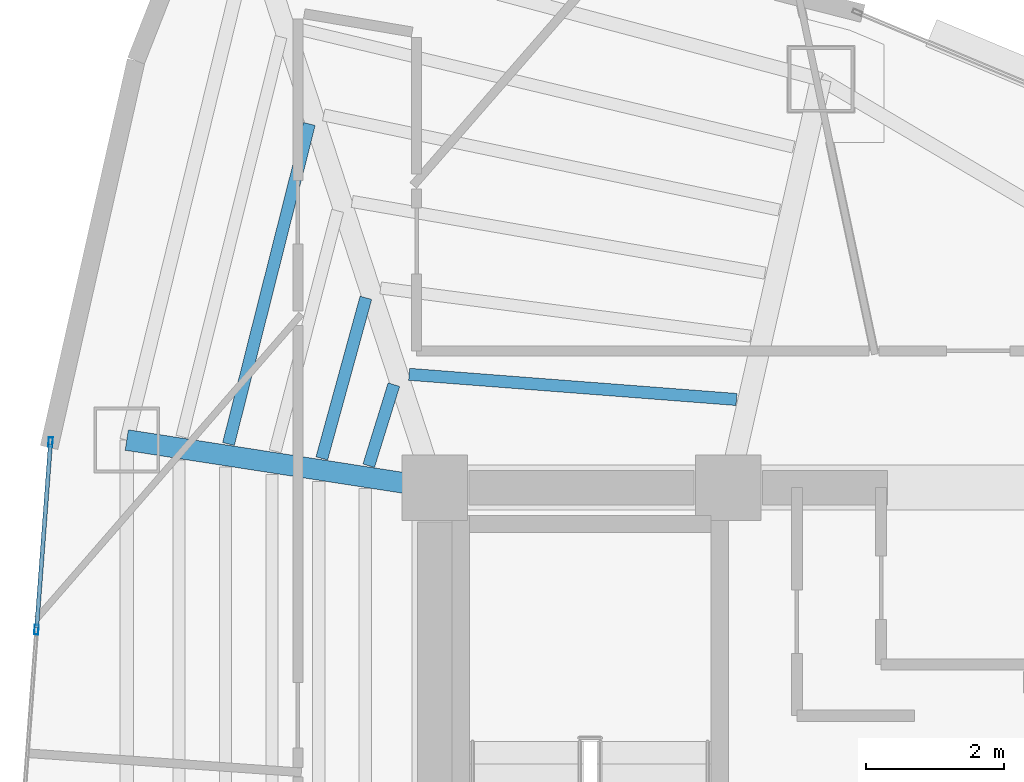
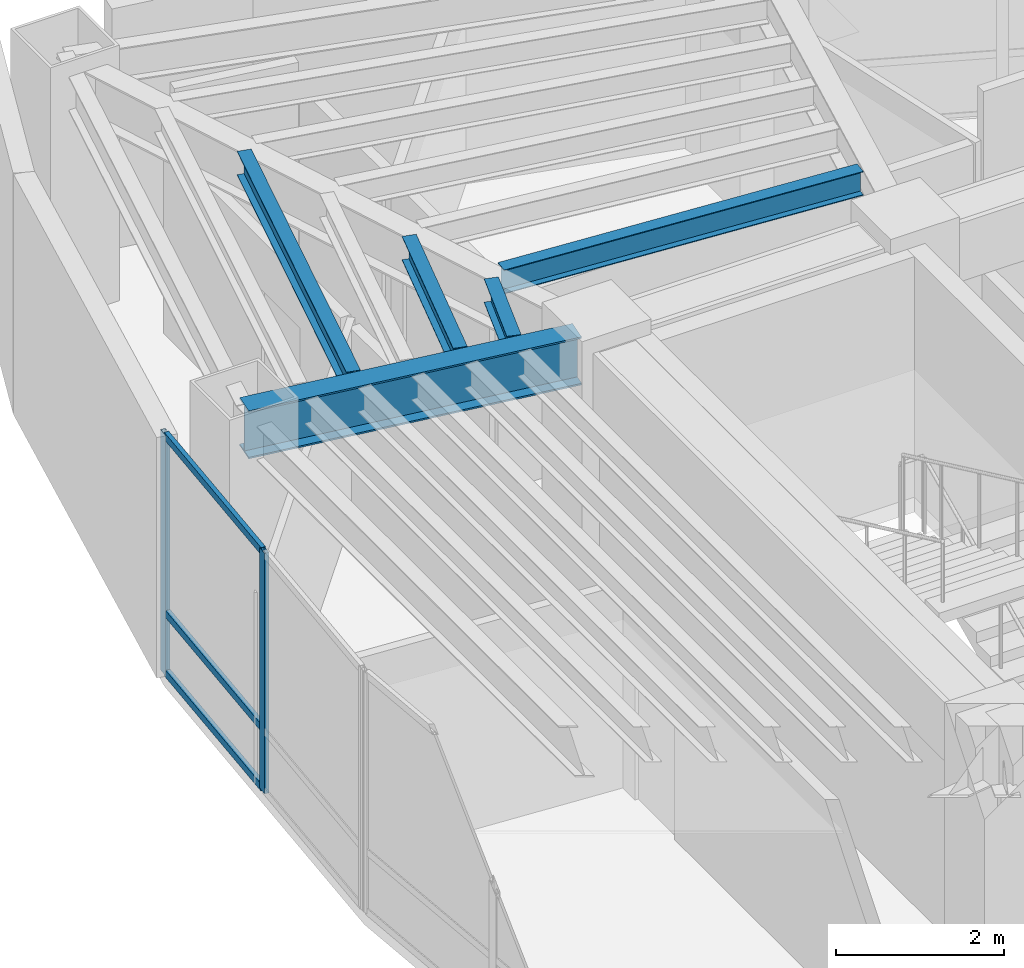
# One storey, part 7 of 15: 5 beams, 5 members, 1 element without a shape of its own.
"""IFC4 building model written with IfcOpenShell, lengths in metres."""

from ifc_helpers import new_model, si_unit, direction, frame, origin, origin_2d, place, context, subcontext, project, spatial, hollow_rectangle, i_section, extrude, material, layer, layer_set, material_profile, profile_set, type_object, element, aggregate, save


model = new_model("IFC4")

# Units and contexts
model_context = context("Model", 3, precision=1e-05, world=origin(), true_north=direction((0.0, 1.0)))
body_context = subcontext(model_context, "Body", "Model", "MODEL_VIEW")
ifc_project = project(units=[si_unit("LENGTHUNIT", "METRE"), si_unit("AREAUNIT", "SQUARE_METRE"), si_unit("VOLUMEUNIT", "CUBIC_METRE"), si_unit("PLANEANGLEUNIT", "RADIAN"), si_unit("MASSUNIT", "GRAM", prefix="KILO")], contexts=[model_context])

# Site, building, storey
site_placement = place(None, origin())
site = spatial("IfcSite", under=ifc_project, at=site_placement, CompositionType="ELEMENT")
building_placement = place(site_placement, origin())
building = spatial("IfcBuilding", under=site, at=building_placement, Name="Menara Vayukalpa", CompositionType="ELEMENT")
storey_placement = place(building_placement, frame((0.0, 0.0, 223.260009765625)))
storey = spatial("IfcBuildingStorey", under=building, at=storey_placement, Name="L56", CompositionType="ELEMENT", Elevation=223.260009765625)

# Beams
ifc_material_1 = material(Name="Steel S355", Category="steel")
ifc_material_profile_1 = material_profile(ifc_material_1, i_section(OverallWidth=0.300048828125, OverallDepth=0.699951171875, WebThickness=0.012939453125, FlangeThickness=0.02392578125, at=origin_2d()), Name="WF 700x300x13x24")
ifc_profile_set_1 = profile_set([ifc_material_profile_1], Name="Steel S355")
beam_type_1 = type_object("IfcBeamType", Name="BM-PG5", PredefinedType="BEAM", material=ifc_profile_set_1)
beam_1_placement = place(storey_placement, frame((17.552978515625, 26.838134765625, 3.14990234375), z_axis=(-0.988244781219, 0.152879862617, 0.0), x_axis=(-0.152879862617, -0.988244781219, 0.0)))
element("IfcBeam", 1, at=beam_1_placement, inside=storey, type_object=beam_type_1, Name="L56 Primary Radial Girder RG05", PredefinedType="BEAM", context=body_context, shape_type="SweptSolid", body=[
    extrude(i_section(OverallWidth=0.300048828125, OverallDepth=0.699951171875, WebThickness=0.012939453125, FlangeThickness=0.02392578125, at=origin_2d()), origin(), (0.0, 0.0, 1.0), 4.259033203125),
])
ifc_material_2 = material(Name="Steel S355", Category="steel")
ifc_material_profile_2 = material_profile(ifc_material_2, i_section(OverallWidth=0.175048828125, OverallDepth=0.35009765625, WebThickness=0.007080078125, FlangeThickness=0.010986328125, at=origin_2d()), Name="WF 350x175x7x11")
ifc_profile_set_2 = profile_set([ifc_material_profile_2], Name="Steel S355")
beam_type_2 = type_object("IfcBeamType", Name="BM-SJ3", PredefinedType="JOIST", material=ifc_profile_set_2)
beam_2_placement = place(storey_placement, frame((22.1669921875, 28.076416015625, 3.324951171875), z_axis=(-0.997060829559, 0.076613981492, 0.0), x_axis=(-0.076613981492, -0.997060829559, 0.0)))
element("IfcBeam", 2, at=beam_2_placement, inside=storey, type_object=beam_type_2, Name="L56 Secondary Floor Joist SJ03-1", PredefinedType="JOIST", context=body_context, shape_type="SweptSolid", body=[
    extrude(i_section(OverallWidth=0.175048828125, OverallDepth=0.35009765625, WebThickness=0.007080078125, FlangeThickness=0.010986328125, at=origin_2d()), origin(), (0.0, 0.0, 1.0), 4.751220703125),
])
beam_3_placement = place(storey_placement, frame((17.209716796875, 28.291015625, 3.324951171875), z_axis=(-0.296305452853, -0.955093230323, 0.0), x_axis=(0.955093230323, -0.296305452853, 0.0)))
element("IfcBeam", 3, at=beam_3_placement, inside=storey, type_object=beam_type_2, Name="L56 Secondary Floor Joist SJ04-1", PredefinedType="JOIST", context=body_context, shape_type="SweptSolid", body=[
    extrude(i_section(OverallWidth=0.175048828125, OverallDepth=0.35009765625, WebThickness=0.007080078125, FlangeThickness=0.010986328125, at=origin_2d()), origin(), (0.0, 0.0, 1.0), 1.228515625),
])
beam_4_placement = place(storey_placement, frame((16.804443359375, 29.5478515625, 3.324951171875), z_axis=(-0.264565534661, -0.964367708848, 0.0), x_axis=(0.964367708848, -0.264565534661, 0.0)))
element("IfcBeam", 4, at=beam_4_placement, inside=storey, type_object=beam_type_2, Name="L56 Secondary Floor Joist SJ04-2", PredefinedType="JOIST", context=body_context, shape_type="SweptSolid", body=[
    extrude(i_section(OverallWidth=0.175048828125, OverallDepth=0.35009765625, WebThickness=0.007080078125, FlangeThickness=0.010986328125, at=origin_2d()), origin(), (0.0, 0.0, 1.0), 2.410400390625),
])
beam_5_placement = place(storey_placement, frame((15.986083984375, 32.063720703125, 3.324951171875), z_axis=(-0.24483203065, -0.969565509271, 0.0), x_axis=(0.969565509271, -0.24483203065, 0.0)))
element("IfcBeam", 5, at=beam_5_placement, inside=storey, type_object=beam_type_2, Name="L56 Secondary Floor Joist SJ04-4", PredefinedType="JOIST", context=body_context, shape_type="SweptSolid", body=[
    extrude(i_section(OverallWidth=0.175048828125, OverallDepth=0.35009765625, WebThickness=0.007080078125, FlangeThickness=0.010986328125, at=origin_2d()), origin(), (0.0, 0.0, 1.0), 4.7763671875),
])

# Curtain wall, members
ifc_material_3 = material(Name="Anodised Terracotta Aluminium Alloy 6063-T6", Category="masonry")
ifc_layer = layer(ifc_material_3, 0.139892578125)
ifc_layer_set = layer_set([ifc_layer], Name="Anodised Terracotta Aluminium Alloy 6063-T6")
curtain_wall_type = type_object("IfcCurtainWallType", Name="CW-CW5", PredefinedType="USERDEFINED", material=ifc_layer_set)
curtain_wall_placement = place(storey_placement, origin())
curtain_wall = element("IfcCurtainWall", 6, at=curtain_wall_placement, inside=storey, type_object=curtain_wall_type, Name="L56 High Rise Tapered Curtain Wall CW5 10", ObjectType="UNITISED", PredefinedType="USERDEFINED")
ifc_material_4 = material(Name="Anodised Terracotta Aluminium Alloy 6063-T6", Category="masonry")
ifc_material_profile_3 = material_profile(ifc_material_4, hollow_rectangle(XDim=0.06005859375, YDim=0.139892578125, WallThickness=0.00341796875, at=origin_2d()), Name="ALU 60x140x3.5")
ifc_profile_set_3 = profile_set([ifc_material_profile_3], Name="Anodised Terracotta Aluminium Alloy 6063-T6")
member_type_1 = type_object("IfcMemberType", Name="CWM-CW5", PredefinedType="MULLION", material=ifc_profile_set_3)
member_1_placement = place(storey_placement, frame((12.24169921875, 27.459228515625, 0.0), z_axis=(0.0, 0.0, 1.0), x_axis=(0.9971991744, -0.074791754736, 0.0)))
member_1 = element("IfcMember", 7, at=member_1_placement, type_object=member_type_1, Name="CW5 mullion 1", PredefinedType="MULLION", context=body_context, shape_type="SweptSolid", body=[
    extrude(hollow_rectangle(XDim=0.06005859375, YDim=0.139892578125, WallThickness=0.00341796875, at=origin_2d()), origin(), (0.0, 0.0, 1.0), 3.5),
])
member_2_placement = place(storey_placement, frame((12.0380859375, 24.74462890625, 0.0), z_axis=(0.0, 0.0, 1.0), x_axis=(0.9971991744, -0.074791754736, 0.0)))
member_2 = element("IfcMember", 8, at=member_2_placement, type_object=member_type_1, Name="CW5 mullion 2", PredefinedType="MULLION", context=body_context, shape_type="SweptSolid", body=[
    extrude(hollow_rectangle(XDim=0.06005859375, YDim=0.139892578125, WallThickness=0.00341796875, at=origin_2d()), origin(), (0.0, 0.0, 1.0), 3.5),
])
ifc_material_5 = material(Name="Anodised Terracotta Aluminium Alloy 6063-T6", Category="masonry")
ifc_material_profile_4 = material_profile(ifc_material_5, hollow_rectangle(XDim=0.06005859375, YDim=0.10498046875, WallThickness=0.0029296875, at=origin_2d()), Name="ALU 60x105x3")
ifc_profile_set_4 = profile_set([ifc_material_profile_4], Name="Anodised Terracotta Aluminium Alloy 6063-T6")
member_type_2 = type_object("IfcMemberType", Name="CWT-CW5", PredefinedType="USERDEFINED", material=ifc_profile_set_4)
member_3_placement = place(storey_placement, frame((12.239501953125, 27.429443359375, 0.030029296875), z_axis=(-0.074824141952, -0.997196744771, 0.0), x_axis=(0.997196744771, -0.074824141952, 0.0)))
member_3 = element("IfcMember", 9, at=member_3_placement, type_object=member_type_2, Name="CW5 transom 1.1", ObjectType="TRANSOM", PredefinedType="USERDEFINED", context=body_context, shape_type="SweptSolid", body=[
    extrude(hollow_rectangle(XDim=0.06005859375, YDim=0.10498046875, WallThickness=0.0029296875, at=origin_2d()), origin(), (0.0, 0.0, 1.0), 2.66259765625),
])
member_4_placement = place(storey_placement, frame((12.239501953125, 27.429443359375, 0.89990234375), z_axis=(-0.074824141952, -0.997196744771, 0.0), x_axis=(0.997196744771, -0.074824141952, 0.0)))
member_4 = element("IfcMember", 10, at=member_4_placement, type_object=member_type_2, Name="CW5 transom 1.2", ObjectType="TRANSOM", PredefinedType="USERDEFINED", context=body_context, shape_type="SweptSolid", body=[
    extrude(hollow_rectangle(XDim=0.06005859375, YDim=0.10498046875, WallThickness=0.0029296875, at=origin_2d()), origin(), (0.0, 0.0, 1.0), 2.66259765625),
])
member_5_placement = place(storey_placement, frame((12.239501953125, 27.429443359375, 3.469970703125), z_axis=(-0.074824141952, -0.997196744771, 0.0), x_axis=(0.997196744771, -0.074824141952, 0.0)))
member_5 = element("IfcMember", 11, at=member_5_placement, type_object=member_type_2, Name="CW5 transom 1.3", ObjectType="TRANSOM", PredefinedType="USERDEFINED", context=body_context, shape_type="SweptSolid", body=[
    extrude(hollow_rectangle(XDim=0.06005859375, YDim=0.10498046875, WallThickness=0.0029296875, at=origin_2d()), origin(), (0.0, 0.0, 1.0), 2.66259765625),
])
aggregate(curtain_wall, [member_1, member_2, member_3, member_4, member_5])

save(model, "model.ifc")
